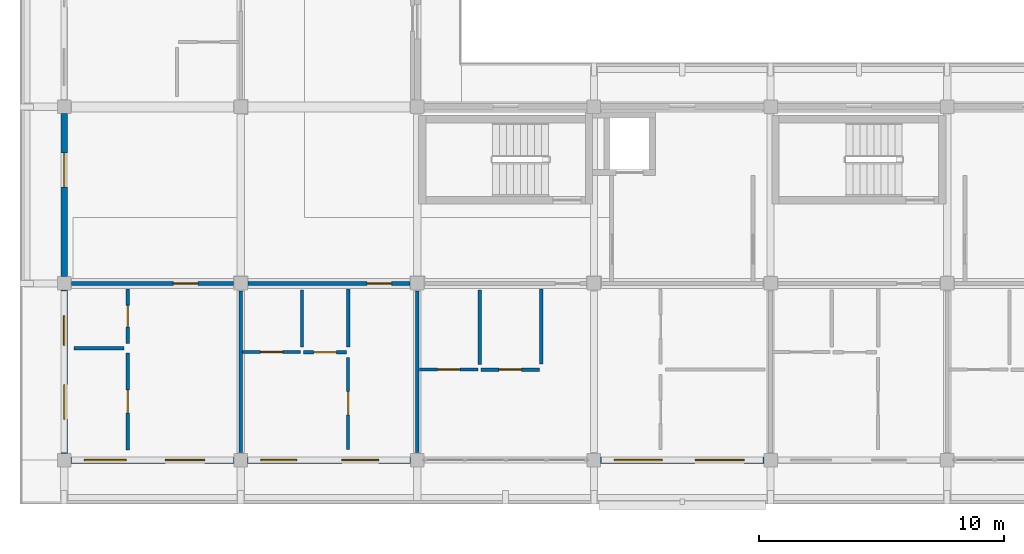
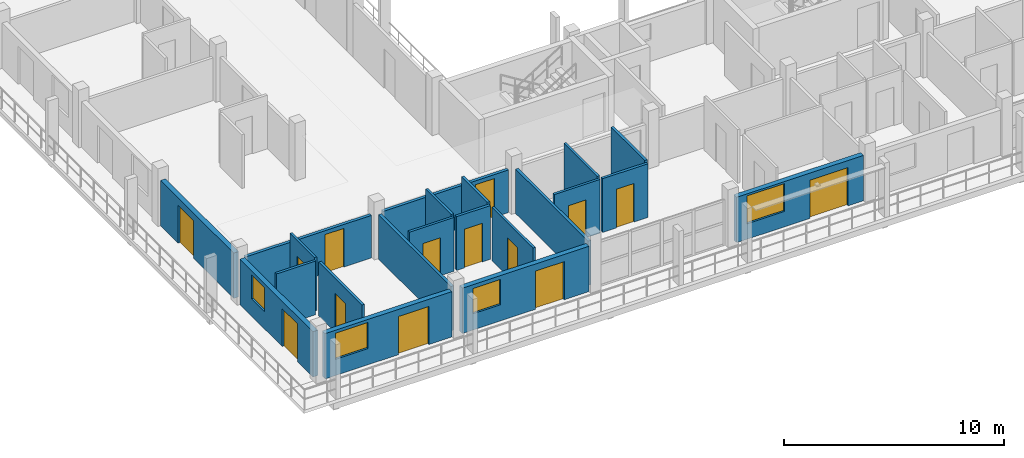
# One storey, part 34 of 73: 21 walls, 14 doors, 4 windows, 18 openings.
"""IFC4 building model written with IfcOpenShell, lengths in metres."""

from ifc_helpers import new_model, si_unit, direction, frame, frame_2d, origin, place, context, subcontext, project, spatial, rectangle, extrude, material, layer, layer_set, type_object, element, fill, save


model = new_model("IFC4")

# Units and contexts
model_context = context("Model", 3, precision=1e-05, world=origin(), true_north=direction((0.0, 1.0)))
body_context = subcontext(model_context, "Body", "Model", "MODEL_VIEW")
ifc_project = project(units=[si_unit("LENGTHUNIT", "METRE"), si_unit("AREAUNIT", "SQUARE_METRE"), si_unit("VOLUMEUNIT", "CUBIC_METRE"), si_unit("PLANEANGLEUNIT", "RADIAN"), si_unit("MASSUNIT", "GRAM", prefix="KILO")], contexts=[model_context])

# Site, building, storey
site_placement = place(None, origin())
site = spatial("IfcSite", under=ifc_project, at=site_placement, CompositionType="ELEMENT")
building_placement = place(site_placement, origin())
building = spatial("IfcBuilding", under=site, at=building_placement, Name="Suanplinth Sawtooth Commons", CompositionType="ELEMENT")
storey_placement = place(building_placement, frame((0.0, 0.0, 21.89990234375)))
storey = spatial("IfcBuildingStorey", under=building, at=storey_placement, Name="L06", CompositionType="ELEMENT", Elevation=21.89990234375)

# Wall, openings, door, window
ifc_material_1 = material(Name="Precast concrete C40/50", Category="concrete")
ifc_layer_1 = layer(ifc_material_1, 0.260009765625, Name="Insulated precast courtyard facade wall 260mm")
ifc_layer_set_1 = layer_set([ifc_layer_1], Name="Precast concrete C40/50")
wall_type_1 = type_object("IfcWallType", Name="W-EX02", PredefinedType="ELEMENTEDWALL", material=ifc_layer_set_1)
wall_1_placement = place(storey_placement, frame((0.27490234375, 0.0, 0.0), z_axis=(0.0, 0.0, 1.0), x_axis=(1.0, 0.0, 0.0)))
wall_1 = element("IfcWall", 1, at=wall_1_placement, inside=storey, type_object=wall_type_1, Name="Facade Wall W-L06-D-S-0-0", PredefinedType="ELEMENTEDWALL", context=body_context, shape_type="SweptSolid", body=[
    extrude(rectangle(XDim=6.650146484375, YDim=0.260009765625, at=frame_2d((3.3251953125, 0.0))), origin(), (0.0, 0.0, 1.0), 2.51513671875),
])
opening_1_placement = place(wall_1_placement, frame((3.85009765625, 0.0, 0.0)))
opening_1 = element("IfcOpeningElement", 2, at=opening_1_placement, cuts=wall_1, Name="Opening ED0535", PredefinedType="OPENING", context=body_context, shape_type="SweptSolid", body=[
    extrude(rectangle(XDim=1.60009765625, YDim=2.1201171875, at=frame_2d((0.800048828125, 1.06005859375))), frame((0.0, 0.14501953125, 0.0), z_axis=(0.0, -1.0, 0.0), x_axis=(1.0, 0.0, 0.0)), (0.0, 0.0, 1.0), 0.289794921875),
])
opening_2_placement = place(wall_1_placement, frame((0.550048828125, 0.0, 0.89990234375)))
opening_2 = element("IfcOpeningElement", 3, at=opening_2_placement, cuts=wall_1, Name="Opening W0621", PredefinedType="OPENING", context=body_context, shape_type="SweptSolid", body=[
    extrude(rectangle(XDim=1.699951171875, YDim=1.449951171875, at=frame_2d((0.85009765625, 0.72509765625))), frame((0.0, 0.14501953125, 0.0), z_axis=(0.0, -1.0, 0.0), x_axis=(1.0, 0.0, 0.0)), (0.0, 0.0, 1.0), 0.289794921875),
])
ifc_material_2 = material(Name="Anodized aluminium and low-E glass", Category="aluminium")
door_type_1 = type_object("IfcDoorType", Name="SD-02", OperationType="SLIDING_TO_RIGHT", PredefinedType="DOOR", material=ifc_material_2)
door_1_placement = place(opening_1_placement, frame((1.60009765625, 0.0, 0.0), z_axis=(0.0, 0.0, 1.0), x_axis=(-1.0, 0.0, 0.0)))
door_1 = element("IfcDoor", 4, at=door_1_placement, inside=storey, type_object=door_type_1, Name="Balcony Sliding Door L06-D-0", OperationType="SLIDING_TO_RIGHT", OverallHeight=2.1201171875, OverallWidth=1.60009765625, PredefinedType="DOOR", context=body_context, shape_type="SweptSolid", body=[
    extrude(rectangle(XDim=1.60009765625, YDim=2.1201171875, at=frame_2d((0.800048828125, 1.06005859375))), frame((0.0, 0.02490234375, 0.0), z_axis=(0.0, -1.0, 0.0), x_axis=(1.0, 0.0, 0.0)), (0.0, 0.0, 1.0), 0.050048828125),
])
fill(opening_1, door_1)
ifc_material_3 = material(Name="Thermally broken aluminium and low-E double glazing", Category="aluminium")
window_type_1 = type_object("IfcWindowType", Name="WN-15", PartitioningType="DOUBLE_PANEL_VERTICAL", PredefinedType="WINDOW", material=ifc_material_3)
window_1_placement = place(opening_2_placement, origin())
window_1 = element("IfcWindow", 5, at=window_1_placement, inside=storey, type_object=window_type_1, Name="Apartment Window L06-D-0", OverallHeight=1.449951171875, OverallWidth=1.699951171875, PartitioningType="DOUBLE_PANEL_VERTICAL", PredefinedType="WINDOW", context=body_context, shape_type="SweptSolid", body=[
    extrude(rectangle(XDim=1.699951171875, YDim=1.449951171875, at=frame_2d((0.85009765625, 0.72509765625))), frame((0.0, 0.030029296875, 0.0), z_axis=(0.0, -1.0, 0.0), x_axis=(1.0, 0.0, 0.0)), (0.0, 0.0, 1.0), 0.06005859375),
])
fill(opening_2, window_1)

wall_2_placement = place(storey_placement, frame((0.0, 0.27490234375, 0.0), z_axis=(0.0, 0.0, 1.0), x_axis=(0.0, 1.0, 0.0)))
wall_2 = element("IfcWall", 6, at=wall_2_placement, inside=storey, type_object=wall_type_1, Name="Facade Wall W-L06-D-W-0-0", PredefinedType="ELEMENTEDWALL", context=body_context, shape_type="SweptSolid", body=[
    extrude(rectangle(XDim=6.650146484375, YDim=0.260009765625, at=frame_2d((3.3251953125, 0.0))), origin(), (0.0, 0.0, 1.0), 2.51513671875),
])
opening_3_placement = place(wall_2_placement, frame((1.39990234375, 0.0, 0.0)))
opening_3 = element("IfcOpeningElement", 7, at=opening_3_placement, cuts=wall_2, Name="Opening ED0536", PredefinedType="OPENING", context=body_context, shape_type="SweptSolid", body=[
    extrude(rectangle(XDim=1.39990234375, YDim=2.10009765625, at=frame_2d((0.699951171875, 1.050048828125))), frame((0.0, 0.14501953125, 0.0), z_axis=(0.0, -1.0, 0.0), x_axis=(1.0, 0.0, 0.0)), (0.0, 0.0, 1.0), 0.289794921875),
])
opening_4_placement = place(wall_2_placement, frame((4.39990234375, 0.0, 0.949951171875)))
opening_4 = element("IfcOpeningElement", 8, at=opening_4_placement, cuts=wall_2, Name="Opening W0622", PredefinedType="OPENING", context=body_context, shape_type="SweptSolid", body=[
    extrude(rectangle(XDim=1.199951171875, YDim=1.35009765625, at=frame_2d((0.60009765625, 0.675048828125))), frame((0.0, 0.14501953125, 0.0), z_axis=(0.0, -1.0, 0.0), x_axis=(1.0, 0.0, 0.0)), (0.0, 0.0, 1.0), 0.289794921875),
])
door_type_2 = type_object("IfcDoorType", Name="SD-07", OperationType="SLIDING_TO_RIGHT", PredefinedType="DOOR", material=ifc_material_2)
door_2_placement = place(opening_3_placement, frame((1.39990234375, 0.0, 0.0), z_axis=(0.0, 0.0, 1.0), x_axis=(-1.0, 0.0, 0.0)))
door_2 = element("IfcDoor", 9, at=door_2_placement, inside=storey, type_object=door_type_2, Name="End Balcony Sliding Door L06-D-W-0-0", OperationType="SLIDING_TO_RIGHT", OverallHeight=2.10009765625, OverallWidth=1.39990234375, PredefinedType="DOOR", context=body_context, shape_type="SweptSolid", body=[
    extrude(rectangle(XDim=1.39990234375, YDim=2.10009765625, at=frame_2d((0.699951171875, 1.050048828125))), frame((0.0, 0.02490234375, 0.0), z_axis=(0.0, -1.0, 0.0), x_axis=(1.0, 0.0, 0.0)), (0.0, 0.0, 1.0), 0.050048828125),
])
fill(opening_3, door_2)
window_type_2 = type_object("IfcWindowType", Name="WN-03", PartitioningType="SINGLE_PANEL", PredefinedType="WINDOW", material=ifc_material_3)
window_2_placement = place(opening_4_placement, origin())
window_2 = element("IfcWindow", 10, at=window_2_placement, inside=storey, type_object=window_type_2, Name="End Bedroom Window L06-D-0-0", OverallHeight=1.35009765625, OverallWidth=1.199951171875, PartitioningType="SINGLE_PANEL", PredefinedType="WINDOW", context=body_context, shape_type="SweptSolid", body=[
    extrude(rectangle(XDim=1.199951171875, YDim=1.35009765625, at=frame_2d((0.60009765625, 0.675048828125))), frame((0.0, 0.030029296875, 0.0), z_axis=(0.0, -1.0, 0.0), x_axis=(1.0, 0.0, 0.0)), (0.0, 0.0, 1.0), 0.06005859375),
])
fill(opening_4, window_2)

# Wall, opening, door
wall_3_placement = place(storey_placement, frame((0.0, 7.47509765625, 0.0), z_axis=(0.0, 0.0, 1.0), x_axis=(0.0, 1.0, 0.0)))
wall_3 = element("IfcWall", 11, at=wall_3_placement, inside=storey, type_object=wall_type_1, Name="Facade Wall W-L06-D-W-0-1", PredefinedType="ELEMENTEDWALL", context=body_context, shape_type="SweptSolid", body=[
    extrude(rectangle(XDim=6.64990234375, YDim=0.260009765625, at=frame_2d((3.324951171875, 0.0))), origin(), (0.0, 0.0, 1.0), 2.51513671875),
])
opening_5_placement = place(wall_3_placement, frame((3.64990234375, 0.0, 0.0)))
opening_5 = element("IfcOpeningElement", 12, at=opening_5_placement, cuts=wall_3, Name="Opening ED0537", PredefinedType="OPENING", context=body_context, shape_type="SweptSolid", body=[
    extrude(rectangle(XDim=1.39990234375, YDim=2.10009765625, at=frame_2d((0.699951171875, 1.050048828125))), frame((0.0, 0.14501953125, 0.0), z_axis=(0.0, -1.0, 0.0), x_axis=(1.0, 0.0, 0.0)), (0.0, 0.0, 1.0), 0.289794921875),
])
door_3_placement = place(opening_5_placement, frame((1.39990234375, 0.0, 0.0), z_axis=(0.0, 0.0, 1.0), x_axis=(-1.0, 0.0, 0.0)))
door_3 = element("IfcDoor", 13, at=door_3_placement, inside=storey, type_object=door_type_2, Name="End Balcony Sliding Door L06-D-W-0-1", OperationType="SLIDING_TO_RIGHT", OverallHeight=2.10009765625, OverallWidth=1.39990234375, PredefinedType="DOOR", context=body_context, shape_type="SweptSolid", body=[
    extrude(rectangle(XDim=1.39990234375, YDim=2.10009765625, at=frame_2d((0.699951171875, 1.050048828125))), frame((0.0, 0.02490234375, 0.0), z_axis=(0.0, -1.0, 0.0), x_axis=(1.0, 0.0, 0.0)), (0.0, 0.0, 1.0), 0.050048828125),
])
fill(opening_5, door_3)

# Wall, openings, door, window
wall_4_placement = place(storey_placement, frame((7.47509765625, 0.0, 0.0), z_axis=(0.0, 0.0, 1.0), x_axis=(1.0, 0.0, 0.0)))
wall_4 = element("IfcWall", 14, at=wall_4_placement, inside=storey, type_object=wall_type_1, Name="Facade Wall W-L06-D-S-1-0", PredefinedType="ELEMENTEDWALL", context=body_context, shape_type="SweptSolid", body=[
    extrude(rectangle(XDim=6.64990234375, YDim=0.260009765625, at=frame_2d((3.324951171875, 0.0))), origin(), (0.0, 0.0, 1.0), 2.51513671875),
])
opening_6_placement = place(wall_4_placement, frame((3.85009765625, 0.0, 0.0)))
opening_6 = element("IfcOpeningElement", 15, at=opening_6_placement, cuts=wall_4, Name="Opening ED0542", PredefinedType="OPENING", context=body_context, shape_type="SweptSolid", body=[
    extrude(rectangle(XDim=1.5, YDim=2.1201171875, at=frame_2d((0.75, 1.06005859375))), frame((0.0, 0.14501953125, 0.0), z_axis=(0.0, -1.0, 0.0), x_axis=(1.0, 0.0, 0.0)), (0.0, 0.0, 1.0), 0.289794921875),
])
opening_7_placement = place(wall_4_placement, frame((0.550048828125, 0.0, 0.89990234375)))
opening_7 = element("IfcOpeningElement", 16, at=opening_7_placement, cuts=wall_4, Name="Opening W0626", PredefinedType="OPENING", context=body_context, shape_type="SweptSolid", body=[
    extrude(rectangle(XDim=1.449951171875, YDim=1.39990234375, at=frame_2d((0.72509765625, 0.699951171875))), frame((0.0, 0.14501953125, 0.0), z_axis=(0.0, -1.0, 0.0), x_axis=(1.0, 0.0, 0.0)), (0.0, 0.0, 1.0), 0.289794921875),
])
door_type_3 = type_object("IfcDoorType", Name="SD-03", OperationType="SLIDING_TO_LEFT", PredefinedType="DOOR", material=ifc_material_2)
door_4_placement = place(opening_6_placement, frame((1.5, 0.0, 0.0), z_axis=(0.0, 0.0, 1.0), x_axis=(-1.0, 0.0, 0.0)))
door_4 = element("IfcDoor", 17, at=door_4_placement, inside=storey, type_object=door_type_3, Name="Balcony Sliding Door L06-D-1", OperationType="SLIDING_TO_LEFT", OverallHeight=2.1201171875, OverallWidth=1.5, PredefinedType="DOOR", context=body_context, shape_type="SweptSolid", body=[
    extrude(rectangle(XDim=1.5, YDim=2.1201171875, at=frame_2d((0.75, 1.06005859375))), frame((0.0, 0.02490234375, 0.0), z_axis=(0.0, -1.0, 0.0), x_axis=(1.0, 0.0, 0.0)), (0.0, 0.0, 1.0), 0.050048828125),
])
fill(opening_6, door_4)
window_type_3 = type_object("IfcWindowType", Name="WN-16", PartitioningType="DOUBLE_PANEL_VERTICAL", PredefinedType="WINDOW", material=ifc_material_3)
window_3_placement = place(opening_7_placement, origin())
window_3 = element("IfcWindow", 18, at=window_3_placement, inside=storey, type_object=window_type_3, Name="Apartment Window L06-D-1", OverallHeight=1.39990234375, OverallWidth=1.449951171875, PartitioningType="DOUBLE_PANEL_VERTICAL", PredefinedType="WINDOW", context=body_context, shape_type="SweptSolid", body=[
    extrude(rectangle(XDim=1.449951171875, YDim=1.39990234375, at=frame_2d((0.72509765625, 0.699951171875))), frame((0.0, 0.030029296875, 0.0), z_axis=(0.0, -1.0, 0.0), x_axis=(1.0, 0.0, 0.0)), (0.0, 0.0, 1.0), 0.06005859375),
])
fill(opening_7, window_3)

wall_5_placement = place(storey_placement, frame((21.875, 0.0, 0.0), z_axis=(0.0, 0.0, 1.0), x_axis=(1.0, 0.0, 0.0)))
wall_5 = element("IfcWall", 19, at=wall_5_placement, inside=storey, type_object=wall_type_1, Name="Facade Wall W-L06-D-S-3-0", PredefinedType="ELEMENTEDWALL", context=body_context, shape_type="SweptSolid", body=[
    extrude(rectangle(XDim=6.64990234375, YDim=0.260009765625, at=frame_2d((3.324951171875, 0.0))), origin(), (0.0, 0.0, 1.0), 2.51513671875),
])
opening_8_placement = place(wall_5_placement, frame((3.85009765625, 0.0, 0.0)))
opening_8 = element("IfcOpeningElement", 20, at=opening_8_placement, cuts=wall_5, Name="Opening ED0546", PredefinedType="OPENING", context=body_context, shape_type="SweptSolid", body=[
    extrude(rectangle(XDim=2.0, YDim=2.1201171875, at=frame_2d((1.0, 1.06005859375))), frame((0.0, 0.14501953125, 0.0), z_axis=(0.0, -1.0, 0.0), x_axis=(1.0, 0.0, 0.0)), (0.0, 0.0, 1.0), 0.289794921875),
])
opening_9_placement = place(wall_5_placement, frame((0.550048828125, 0.0, 0.85498046875)))
opening_9 = element("IfcOpeningElement", 21, at=opening_9_placement, cuts=wall_5, Name="Opening W0629", PredefinedType="OPENING", context=body_context, shape_type="SweptSolid", body=[
    extrude(rectangle(XDim=1.949951171875, YDim=1.550048828125, at=frame_2d((0.97509765625, 0.77490234375))), frame((0.0, 0.14501953125, 0.0), z_axis=(0.0, -1.0, 0.0), x_axis=(1.0, 0.0, 0.0)), (0.0, 0.0, 1.0), 0.289794921875),
])
door_type_4 = type_object("IfcDoorType", Name="SD-06", OperationType="DOUBLE_DOOR_SLIDING", PredefinedType="DOOR", material=ifc_material_2)
door_5_placement = place(opening_8_placement, frame((2.0, 0.0, 0.0), z_axis=(0.0, 0.0, 1.0), x_axis=(-1.0, 0.0, 0.0)))
door_5 = element("IfcDoor", 22, at=door_5_placement, inside=storey, type_object=door_type_4, Name="Balcony Sliding Door L06-D-3", OperationType="DOUBLE_DOOR_SLIDING", OverallHeight=2.1201171875, OverallWidth=2.0, PredefinedType="DOOR", context=body_context, shape_type="SweptSolid", body=[
    extrude(rectangle(XDim=2.0, YDim=2.1201171875, at=frame_2d((1.0, 1.06005859375))), frame((0.0, 0.02490234375, 0.0), z_axis=(0.0, -1.0, 0.0), x_axis=(1.0, 0.0, 0.0)), (0.0, 0.0, 1.0), 0.050048828125),
])
fill(opening_8, door_5)
window_type_4 = type_object("IfcWindowType", Name="WN-18", PartitioningType="DOUBLE_PANEL_VERTICAL", PredefinedType="WINDOW", material=ifc_material_3)
window_4_placement = place(opening_9_placement, origin())
window_4 = element("IfcWindow", 23, at=window_4_placement, inside=storey, type_object=window_type_4, Name="Apartment Window L06-D-3", OverallHeight=1.550048828125, OverallWidth=1.949951171875, PartitioningType="DOUBLE_PANEL_VERTICAL", PredefinedType="WINDOW", context=body_context, shape_type="SweptSolid", body=[
    extrude(rectangle(XDim=1.949951171875, YDim=1.550048828125, at=frame_2d((0.97509765625, 0.77490234375))), frame((0.0, 0.030029296875, 0.0), z_axis=(0.0, -1.0, 0.0), x_axis=(1.0, 0.0, 0.0)), (0.0, 0.0, 1.0), 0.06005859375),
])
fill(opening_9, window_4)

# Wall, opening, door
ifc_layer_2 = layer(ifc_material_1, 0.159912109375, Name="Fire-rated corridor and lobby wall 160mm")
ifc_layer_set_2 = layer_set([ifc_layer_2], Name="Precast concrete C40/50")
wall_type_2 = type_object("IfcWallType", Name="W-FW01", PredefinedType="PARTITIONING", material=ifc_layer_set_2)
wall_6_placement = place(storey_placement, frame((0.304931640625, 7.199951171875, 0.0), z_axis=(0.0, 0.0, 1.0), x_axis=(1.0, 0.0, 0.0)))
wall_6 = element("IfcWall", 24, at=wall_6_placement, inside=storey, type_object=wall_type_2, Name="W-D-L06-U01-COR", PredefinedType="PARTITIONING", context=body_context, shape_type="SweptSolid", body=[
    extrude(rectangle(XDim=6.590087890625, YDim=0.159912109375, at=frame_2d((3.294921875, 0.0))), origin(), (0.0, 0.0, 1.0), 2.364990234375),
])
opening_10_placement = place(wall_6_placement, frame((4.14501953125, 0.0, 0.0)))
opening_10 = element("IfcOpeningElement", 25, at=opening_10_placement, cuts=wall_6, Name="Opening FD1470", PredefinedType="OPENING", context=body_context, shape_type="SweptSolid", body=[
    extrude(rectangle(XDim=1.0, YDim=2.14990234375, at=frame_2d((0.5, 1.074951171875))), frame((0.0, 0.0947265625, 0.0), z_axis=(0.0, -1.0, 0.0), x_axis=(1.0, 0.0, 0.0)), (0.0, 0.0, 1.0), 0.189697265625),
])
ifc_material_4 = material(Name="Teak hardwood fire-rated door assembly", Category="wood")
door_type_5 = type_object("IfcDoorType", Name="FD-03", OperationType="NOTDEFINED", PredefinedType="DOOR", material=ifc_material_4)
door_6_placement = place(opening_10_placement, frame((1.0, 0.0, 0.0), z_axis=(0.0, 0.0, 1.0), x_axis=(-1.0, 0.0, 0.0)))
door_6 = element("IfcDoor", 26, at=door_6_placement, inside=storey, type_object=door_type_5, Name="Unit Entrance Door FD1470", OperationType="SINGLE_SWING_RIGHT", OverallHeight=2.14990234375, OverallWidth=1.0, PredefinedType="DOOR", context=body_context, shape_type="SweptSolid", body=[
    extrude(rectangle(XDim=1.0, YDim=2.14990234375, at=frame_2d((0.5, 1.074951171875))), frame((0.0, 0.02490234375, 0.0), z_axis=(0.0, -1.0, 0.0), x_axis=(1.0, 0.0, 0.0)), (0.0, 0.0, 1.0), 0.050048828125),
])
fill(opening_10, door_6)

wall_7_placement = place(storey_placement, frame((7.5048828125, 7.199951171875, 0.0), z_axis=(0.0, 0.0, 1.0), x_axis=(1.0, 0.0, 0.0)))
wall_7 = element("IfcWall", 27, at=wall_7_placement, inside=storey, type_object=wall_type_2, Name="W-D-L06-U02-COR", PredefinedType="PARTITIONING", context=body_context, shape_type="SweptSolid", body=[
    extrude(rectangle(XDim=6.590087890625, YDim=0.159912109375, at=frame_2d((3.294921875, 0.0))), origin(), (0.0, 0.0, 1.0), 2.364990234375),
])
opening_11_placement = place(wall_7_placement, frame((4.844970703125, 0.0, 0.0)))
opening_11 = element("IfcOpeningElement", 28, at=opening_11_placement, cuts=wall_7, Name="Opening FD1473", PredefinedType="OPENING", context=body_context, shape_type="SweptSolid", body=[
    extrude(rectangle(XDim=1.0, YDim=2.14990234375, at=frame_2d((0.5, 1.074951171875))), frame((0.0, 0.0947265625, 0.0), z_axis=(0.0, -1.0, 0.0), x_axis=(1.0, 0.0, 0.0)), (0.0, 0.0, 1.0), 0.189697265625),
])
door_7_placement = place(opening_11_placement, frame((1.0, 0.0, 0.0), z_axis=(0.0, 0.0, 1.0), x_axis=(-1.0, 0.0, 0.0)))
door_7 = element("IfcDoor", 29, at=door_7_placement, inside=storey, type_object=door_type_5, Name="Unit Entrance Door FD1473", OperationType="SINGLE_SWING_LEFT", OverallHeight=2.14990234375, OverallWidth=1.0, PredefinedType="DOOR", context=body_context, shape_type="SweptSolid", body=[
    extrude(rectangle(XDim=1.0, YDim=2.14990234375, at=frame_2d((0.5, 1.074951171875))), frame((0.0, 0.02490234375, 0.0), z_axis=(0.0, -1.0, 0.0), x_axis=(1.0, 0.0, 0.0)), (0.0, 0.0, 1.0), 0.050048828125),
])
fill(opening_11, door_7)

# Walls
ifc_layer_3 = layer(ifc_material_1, 0.14990234375, Name="Acoustic precast party demising wall 150mm")
ifc_layer_set_3 = layer_set([ifc_layer_3], Name="Precast concrete C40/50")
wall_type_3 = type_object("IfcWallType", Name="W-FW02", PredefinedType="PARTITIONING", material=ifc_layer_set_3)
for number, where, z_axis, x_axis, name in (
    (30, (7.199951171875, 0.304931640625, 0.0), (0.0, 0.0, 1.0), (0.0, 1.0, 0.0), "W-D-L06-U01-PTY"),
    (31, (14.39990234375, 0.304931640625, 0.0), (0.0, 0.0, 1.0), (0.0, 1.0, 0.0), "W-D-L06-U02-PTY"),
):
    element("IfcWall", number, at=place(storey_placement, frame(where, z_axis=z_axis, x_axis=x_axis)), inside=storey, type_object=wall_type_3, Name=name, PredefinedType="PARTITIONING", context=body_context, shape_type="SweptSolid", body=[
        extrude(rectangle(XDim=6.590087890625, YDim=0.14990234375, at=frame_2d((3.294921875, 0.0))), origin(), (0.0, 0.0, 1.0), 2.465087890625),
    ])

# Wall, opening, door
ifc_material_5 = material(Name="Gypsum plasterboard on steel stud", Category="steel")
ifc_layer_4 = layer(ifc_material_5, 0.139892578125, Name="Fire-rated kitchen partition 140mm")
ifc_layer_set_4 = layer_set([ifc_layer_4], Name="Gypsum plasterboard on steel stud")
wall_type_4 = type_object("IfcWallType", Name="W-PT01", PredefinedType="PARTITIONING", material=ifc_layer_set_4)
wall_8_placement = place(storey_placement, frame((2.594970703125, 0.419921875, 0.0), z_axis=(0.0, 0.0, 1.0), x_axis=(0.0, 1.0, 0.0)))
wall_8 = element("IfcWall", 32, at=wall_8_placement, inside=storey, type_object=wall_type_4, Name="W-D-L06-U01-KITE", PredefinedType="PARTITIONING", context=body_context, shape_type="SweptSolid", body=[
    extrude(rectangle(XDim=3.940185546875, YDim=0.139892578125, at=frame_2d((1.97021484375, 0.0))), origin(), (0.0, 0.0, 1.0), 2.97998046875),
])
opening_12_placement = place(wall_8_placement, frame((1.5048828125, 0.0, 0.0)))
opening_12 = element("IfcOpeningElement", 33, at=opening_12_placement, cuts=wall_8, Name="Opening D1472", PredefinedType="OPENING", context=body_context, shape_type="SweptSolid", body=[
    extrude(rectangle(XDim=0.929931640625, YDim=2.139892578125, at=frame_2d((0.46484375, 1.06982421875))), frame((0.0, 0.0849609375, 0.0), z_axis=(0.0, -1.0, 0.0), x_axis=(1.0, 0.0, 0.0)), (0.0, 0.0, 1.0), 0.169677734375),
])
ifc_material_6 = material(Name="Teak hardwood", Category="wood")
door_type_6 = type_object("IfcDoorType", Name="D-19", OperationType="NOTDEFINED", PredefinedType="DOOR", material=ifc_material_6)
door_8_placement = place(opening_12_placement, origin())
door_8 = element("IfcDoor", 34, at=door_8_placement, inside=storey, type_object=door_type_6, Name="Kitchen Door D1472", OperationType="SINGLE_SWING_RIGHT", OverallHeight=2.139892578125, OverallWidth=0.929931640625, PredefinedType="DOOR", context=body_context, shape_type="SweptSolid", body=[
    extrude(rectangle(XDim=0.929931640625, YDim=2.139892578125, at=frame_2d((0.46484375, 1.06982421875))), frame((0.0, 0.02490234375, 0.0), z_axis=(0.0, -1.0, 0.0), x_axis=(1.0, 0.0, 0.0)), (0.0, 0.0, 1.0), 0.050048828125),
])
fill(opening_12, door_8)

wall_9_placement = place(storey_placement, frame((9.75, 4.39990234375, 0.0), z_axis=(0.0, 0.0, 1.0), x_axis=(1.0, 0.0, 0.0)))
wall_9 = element("IfcWall", 35, at=wall_9_placement, inside=storey, type_object=wall_type_4, Name="W-D-L06-U02-KIT1", PredefinedType="PARTITIONING", context=body_context, shape_type="SweptSolid", body=[
    extrude(rectangle(XDim=1.77001953125, YDim=0.139892578125, at=frame_2d((0.885009765625, 0.0))), origin(), (0.0, 0.0, 1.0), 2.97998046875),
])
opening_13_placement = place(wall_9_placement, frame((0.419921875, 0.0, 0.0)))
opening_13 = element("IfcOpeningElement", 36, at=opening_13_placement, cuts=wall_9, Name="Opening D1475", PredefinedType="OPENING", context=body_context, shape_type="SweptSolid", body=[
    extrude(rectangle(XDim=0.929931640625, YDim=2.139892578125, at=frame_2d((0.46484375, 1.06982421875))), frame((0.0, 0.0849609375, 0.0), z_axis=(0.0, -1.0, 0.0), x_axis=(1.0, 0.0, 0.0)), (0.0, 0.0, 1.0), 0.169677734375),
])
door_9_placement = place(opening_13_placement, origin())
door_9 = element("IfcDoor", 37, at=door_9_placement, inside=storey, type_object=door_type_6, Name="Kitchen Door D1475", OperationType="SINGLE_SWING_LEFT", OverallHeight=2.139892578125, OverallWidth=0.929931640625, PredefinedType="DOOR", context=body_context, shape_type="SweptSolid", body=[
    extrude(rectangle(XDim=0.929931640625, YDim=2.139892578125, at=frame_2d((0.46484375, 1.06982421875))), frame((0.0, 0.02490234375, 0.0), z_axis=(0.0, -1.0, 0.0), x_axis=(1.0, 0.0, 0.0)), (0.0, 0.0, 1.0), 0.050048828125),
])
fill(opening_13, door_9)

# Wall
wall_10_placement = place(storey_placement, frame((11.590087890625, 4.6201171875, 0.0), z_axis=(0.0, 0.0, 1.0), x_axis=(0.0, 1.0, 0.0)))
element("IfcWall", 38, at=wall_10_placement, inside=storey, type_object=wall_type_4, Name="W-D-L06-U02-KIT2", PredefinedType="PARTITIONING", context=body_context, shape_type="SweptSolid", body=[
    extrude(rectangle(XDim=2.349853515625, YDim=0.139892578125, at=frame_2d((1.1748046875, 0.0))), origin(), (0.0, 0.0, 1.0), 2.97998046875),
])

# Wall, opening, door
wall_11_placement = place(storey_placement, frame((17.0, 3.68994140625, 0.0), z_axis=(0.0, 0.0, 1.0), x_axis=(1.0, 0.0, 0.0)))
wall_11 = element("IfcWall", 39, at=wall_11_placement, inside=storey, type_object=wall_type_4, Name="W-D-L06-U03-KIT1", PredefinedType="PARTITIONING", context=body_context, shape_type="SweptSolid", body=[
    extrude(rectangle(XDim=2.3798828125, YDim=0.139892578125, at=frame_2d((1.18994140625, 0.0))), origin(), (0.0, 0.0, 1.0), 2.97998046875),
])
opening_14_placement = place(wall_11_placement, frame((0.72509765625, 0.0, 0.0)))
opening_14 = element("IfcOpeningElement", 40, at=opening_14_placement, cuts=wall_11, Name="Opening D1479", PredefinedType="OPENING", context=body_context, shape_type="SweptSolid", body=[
    extrude(rectangle(XDim=0.929931640625, YDim=2.139892578125, at=frame_2d((0.46484375, 1.06982421875))), frame((0.0, 0.0849609375, 0.0), z_axis=(0.0, -1.0, 0.0), x_axis=(1.0, 0.0, 0.0)), (0.0, 0.0, 1.0), 0.169677734375),
])
door_10_placement = place(opening_14_placement, origin())
door_10 = element("IfcDoor", 41, at=door_10_placement, inside=storey, type_object=door_type_6, Name="Kitchen Door D1479", OperationType="SINGLE_SWING_LEFT", OverallHeight=2.139892578125, OverallWidth=0.929931640625, PredefinedType="DOOR", context=body_context, shape_type="SweptSolid", body=[
    extrude(rectangle(XDim=0.929931640625, YDim=2.139892578125, at=frame_2d((0.46484375, 1.06982421875))), frame((0.0, 0.02490234375, 0.0), z_axis=(0.0, -1.0, 0.0), x_axis=(1.0, 0.0, 0.0)), (0.0, 0.0, 1.0), 0.050048828125),
])
fill(opening_14, door_10)

# Walls
wall_12_placement = place(storey_placement, frame((19.449951171875, 3.909912109375, 0.0), z_axis=(0.0, 0.0, 1.0), x_axis=(0.0, 1.0, 0.0)))
element("IfcWall", 42, at=wall_12_placement, inside=storey, type_object=wall_type_4, Name="W-D-L06-U03-KIT2", PredefinedType="PARTITIONING", context=body_context, shape_type="SweptSolid", body=[
    extrude(rectangle(XDim=3.06005859375, YDim=0.139892578125, at=frame_2d((1.530029296875, 0.0))), origin(), (0.0, 0.0, 1.0), 2.97998046875),
])
ifc_layer_5 = layer(ifc_material_5, 0.1298828125, Name="Moisture-resistant bathroom partition 130mm")
ifc_layer_set_5 = layer_set([ifc_layer_5], Name="Gypsum plasterboard on steel stud")
wall_type_5 = type_object("IfcWallType", Name="W-PT02", PredefinedType="PARTITIONING", material=ifc_layer_set_5)
wall_13_placement = place(storey_placement, frame((0.39990234375, 4.56005859375, 0.0), z_axis=(0.0, 0.0, 1.0), x_axis=(1.0, 0.0, 0.0)))
element("IfcWall", 43, at=wall_13_placement, inside=storey, type_object=wall_type_5, Name="W-D-L06-U01-STDIV", PredefinedType="PARTITIONING", context=body_context, shape_type="SweptSolid", body=[
    extrude(rectangle(XDim=2.050048828125, YDim=0.1298828125, at=frame_2d((1.02490234375, 0.0))), origin(), (0.0, 0.0, 1.0), 2.97998046875),
])

# Wall, opening, door
wall_14_placement = place(storey_placement, frame((2.594970703125, 4.760009765625, 0.0), z_axis=(0.0, 0.0, 1.0), x_axis=(0.0, 1.0, 0.0)))
wall_14 = element("IfcWall", 44, at=wall_14_placement, inside=storey, type_object=wall_type_5, Name="W-D-L06-U01-BTHE", PredefinedType="PARTITIONING", context=body_context, shape_type="SweptSolid", body=[
    extrude(rectangle(XDim=2.219970703125, YDim=0.1298828125, at=frame_2d((1.10986328125, 0.0))), origin(), (0.0, 0.0, 1.0), 2.97998046875),
])
opening_15_placement = place(wall_14_placement, frame((0.669921875, 0.0, 0.0)))
opening_15 = element("IfcOpeningElement", 45, at=opening_15_placement, cuts=wall_14, Name="Opening D1471", PredefinedType="OPENING", context=body_context, shape_type="SweptSolid", body=[
    extrude(rectangle(XDim=0.8798828125, YDim=2.10009765625, at=frame_2d((0.43994140625, 1.050048828125))), frame((0.0, 0.079833984375, 0.0), z_axis=(0.0, -1.0, 0.0), x_axis=(1.0, 0.0, 0.0)), (0.0, 0.0, 1.0), 0.15966796875),
])
door_type_7 = type_object("IfcDoorType", Name="D-14", OperationType="NOTDEFINED", PredefinedType="DOOR", material=ifc_material_6)
door_11_placement = place(opening_15_placement, origin())
door_11 = element("IfcDoor", 46, at=door_11_placement, inside=storey, type_object=door_type_7, Name="Bathroom Door D1471", OperationType="SINGLE_SWING_LEFT", OverallHeight=2.10009765625, OverallWidth=0.8798828125, PredefinedType="DOOR", context=body_context, shape_type="SweptSolid", body=[
    extrude(rectangle(XDim=0.8798828125, YDim=2.10009765625, at=frame_2d((0.43994140625, 1.050048828125))), frame((0.0, 0.02490234375, 0.0), z_axis=(0.0, -1.0, 0.0), x_axis=(1.0, 0.0, 0.0)), (0.0, 0.0, 1.0), 0.050048828125),
])
fill(opening_15, door_11)

wall_15_placement = place(storey_placement, frame((7.280029296875, 4.405029296875, 0.0), z_axis=(0.0, 0.0, 1.0), x_axis=(1.0, 0.0, 0.0)))
wall_15 = element("IfcWall", 47, at=wall_15_placement, inside=storey, type_object=wall_type_5, Name="W-D-L06-U02-BTH1", PredefinedType="PARTITIONING", context=body_context, shape_type="SweptSolid", body=[
    extrude(rectangle(XDim=2.349853515625, YDim=0.1298828125, at=frame_2d((1.1748046875, 0.0))), origin(), (0.0, 0.0, 1.0), 2.97998046875),
])
opening_16_placement = place(wall_15_placement, frame((0.72509765625, 0.0, 0.0)))
opening_16 = element("IfcOpeningElement", 48, at=opening_16_placement, cuts=wall_15, Name="Opening D1474", PredefinedType="OPENING", context=body_context, shape_type="SweptSolid", body=[
    extrude(rectangle(XDim=0.89990234375, YDim=2.10009765625, at=frame_2d((0.449951171875, 1.050048828125))), frame((0.0, 0.079833984375, 0.0), z_axis=(0.0, -1.0, 0.0), x_axis=(1.0, 0.0, 0.0)), (0.0, 0.0, 1.0), 0.15966796875),
])
door_type_8 = type_object("IfcDoorType", Name="D-01", OperationType="NOTDEFINED", PredefinedType="DOOR", material=ifc_material_6)
door_12_placement = place(opening_16_placement, origin())
door_12 = element("IfcDoor", 49, at=door_12_placement, inside=storey, type_object=door_type_8, Name="Bathroom Door D1474", OperationType="SINGLE_SWING_RIGHT", OverallHeight=2.10009765625, OverallWidth=0.89990234375, PredefinedType="DOOR", context=body_context, shape_type="SweptSolid", body=[
    extrude(rectangle(XDim=0.89990234375, YDim=2.10009765625, at=frame_2d((0.449951171875, 1.050048828125))), frame((0.0, 0.02490234375, 0.0), z_axis=(0.0, -1.0, 0.0), x_axis=(1.0, 0.0, 0.0)), (0.0, 0.0, 1.0), 0.050048828125),
])
fill(opening_16, door_12)

# Wall
wall_16_placement = place(storey_placement, frame((9.695068359375, 4.610107421875, 0.0), z_axis=(0.0, 0.0, 1.0), x_axis=(0.0, 1.0, 0.0)))
element("IfcWall", 50, at=wall_16_placement, inside=storey, type_object=wall_type_5, Name="W-D-L06-U02-BTH2", PredefinedType="PARTITIONING", context=body_context, shape_type="SweptSolid", body=[
    extrude(rectangle(XDim=2.329833984375, YDim=0.1298828125, at=frame_2d((1.1650390625, 0.0))), origin(), (0.0, 0.0, 1.0), 2.97998046875),
])

# Wall, opening, door
wall_17_placement = place(storey_placement, frame((14.47998046875, 3.695068359375, 0.0), z_axis=(0.0, 0.0, 1.0), x_axis=(1.0, 0.0, 0.0)))
wall_17 = element("IfcWall", 51, at=wall_17_placement, inside=storey, type_object=wall_type_5, Name="W-D-L06-U03-BTH1", PredefinedType="PARTITIONING", context=body_context, shape_type="SweptSolid", body=[
    extrude(rectangle(XDim=2.39990234375, YDim=0.1298828125, at=frame_2d((1.199951171875, 0.0))), origin(), (0.0, 0.0, 1.0), 2.97998046875),
])
opening_17_placement = place(wall_17_placement, frame((0.75, 0.0, 0.0)))
opening_17 = element("IfcOpeningElement", 52, at=opening_17_placement, cuts=wall_17, Name="Opening D1478", PredefinedType="OPENING", context=body_context, shape_type="SweptSolid", body=[
    extrude(rectangle(XDim=0.89990234375, YDim=2.10009765625, at=frame_2d((0.449951171875, 1.050048828125))), frame((0.0, 0.079833984375, 0.0), z_axis=(0.0, -1.0, 0.0), x_axis=(1.0, 0.0, 0.0)), (0.0, 0.0, 1.0), 0.15966796875),
])
door_13_placement = place(opening_17_placement, origin())
door_13 = element("IfcDoor", 53, at=door_13_placement, inside=storey, type_object=door_type_8, Name="Bathroom Door D1478", OperationType="SINGLE_SWING_RIGHT", OverallHeight=2.10009765625, OverallWidth=0.89990234375, PredefinedType="DOOR", context=body_context, shape_type="SweptSolid", body=[
    extrude(rectangle(XDim=0.89990234375, YDim=2.10009765625, at=frame_2d((0.449951171875, 1.050048828125))), frame((0.0, 0.02490234375, 0.0), z_axis=(0.0, -1.0, 0.0), x_axis=(1.0, 0.0, 0.0)), (0.0, 0.0, 1.0), 0.050048828125),
])
fill(opening_17, door_13)

# Wall
wall_18_placement = place(storey_placement, frame((16.945068359375, 3.89990234375, 0.0), z_axis=(0.0, 0.0, 1.0), x_axis=(0.0, 1.0, 0.0)))
element("IfcWall", 54, at=wall_18_placement, inside=storey, type_object=wall_type_5, Name="W-D-L06-U03-BTH2", PredefinedType="PARTITIONING", context=body_context, shape_type="SweptSolid", body=[
    extrude(rectangle(XDim=3.0400390625, YDim=0.1298828125, at=frame_2d((1.52001953125, 0.0))), origin(), (0.0, 0.0, 1.0), 2.97998046875),
])

# Wall, opening, door
ifc_layer_6 = layer(ifc_material_5, 0.1201171875, Name="Acoustic bedroom partition 120mm")
ifc_layer_set_6 = layer_set([ifc_layer_6], Name="Gypsum plasterboard on steel stud")
wall_type_6 = type_object("IfcWallType", Name="W-PT03", PredefinedType="PARTITIONING", material=ifc_layer_set_6)
wall_19_placement = place(storey_placement, frame((11.580078125, 0.43994140625, 0.0), z_axis=(0.0, 0.0, 1.0), x_axis=(0.0, 1.0, 0.0)))
wall_19 = element("IfcWall", 55, at=wall_19_placement, inside=storey, type_object=wall_type_6, Name="W-D-L06-U02-BED1", PredefinedType="PARTITIONING", context=body_context, shape_type="SweptSolid", body=[
    extrude(rectangle(XDim=3.75, YDim=0.1201171875, at=frame_2d((1.875, 0.0))), origin(), (0.0, 0.0, 1.0), 2.97998046875),
])
opening_18_placement = place(wall_19_placement, frame((1.39990234375, 0.0, 0.0)))
opening_18 = element("IfcOpeningElement", 56, at=opening_18_placement, cuts=wall_19, Name="Opening D1476", PredefinedType="OPENING", context=body_context, shape_type="SweptSolid", body=[
    extrude(rectangle(XDim=0.949951171875, YDim=2.14990234375, at=frame_2d((0.47509765625, 1.074951171875))), frame((0.0, 0.074951171875, 0.0), z_axis=(0.0, -1.0, 0.0), x_axis=(1.0, 0.0, 0.0)), (0.0, 0.0, 1.0), 0.14990234375),
])
door_type_9 = type_object("IfcDoorType", Name="D-03", OperationType="NOTDEFINED", PredefinedType="DOOR", material=ifc_material_6)
door_14_placement = place(opening_18_placement, origin())
door_14 = element("IfcDoor", 57, at=door_14_placement, inside=storey, type_object=door_type_9, Name="Bedroom Door D1476", OperationType="SINGLE_SWING_RIGHT", OverallHeight=2.14990234375, OverallWidth=0.949951171875, PredefinedType="DOOR", context=body_context, shape_type="SweptSolid", body=[
    extrude(rectangle(XDim=0.949951171875, YDim=2.14990234375, at=frame_2d((0.47509765625, 1.074951171875))), frame((0.0, 0.02490234375, 0.0), z_axis=(0.0, -1.0, 0.0), x_axis=(1.0, 0.0, 0.0)), (0.0, 0.0, 1.0), 0.050048828125),
])
fill(opening_18, door_14)

save(model, "model.ifc")
